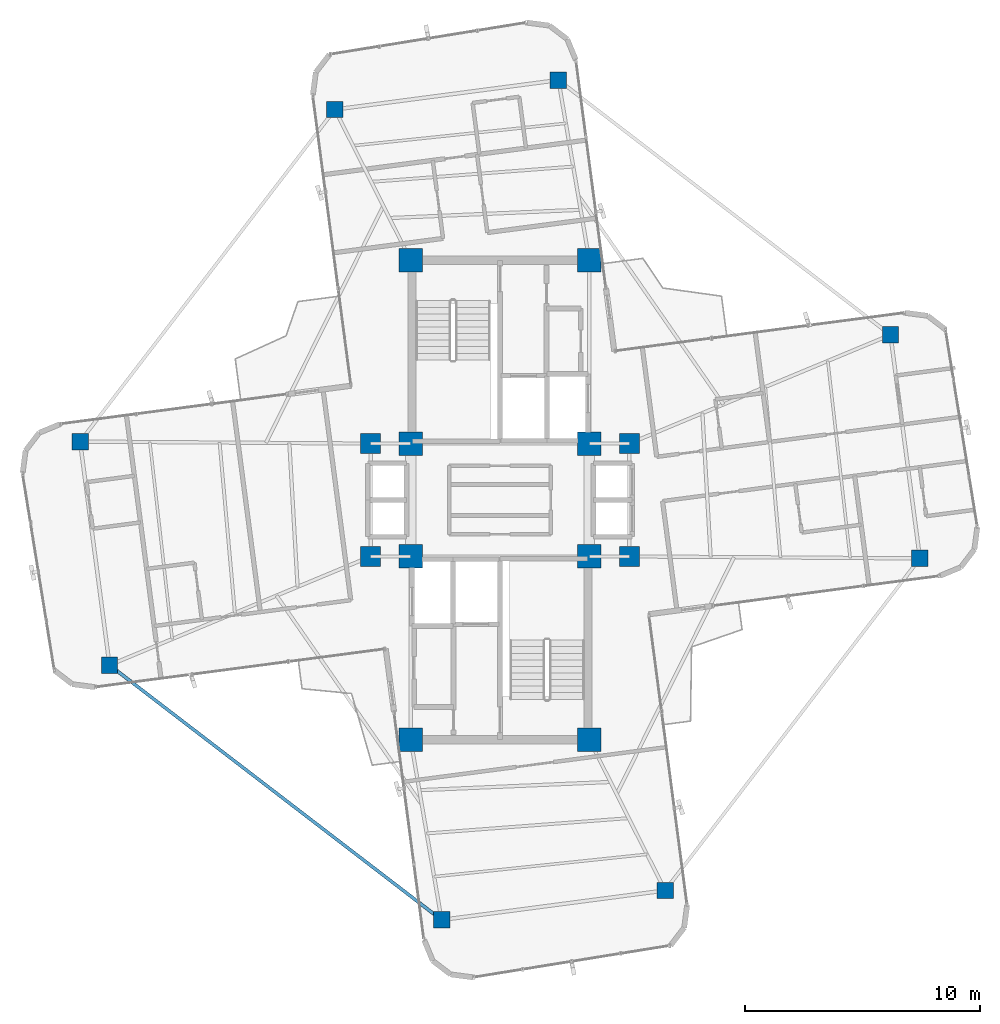
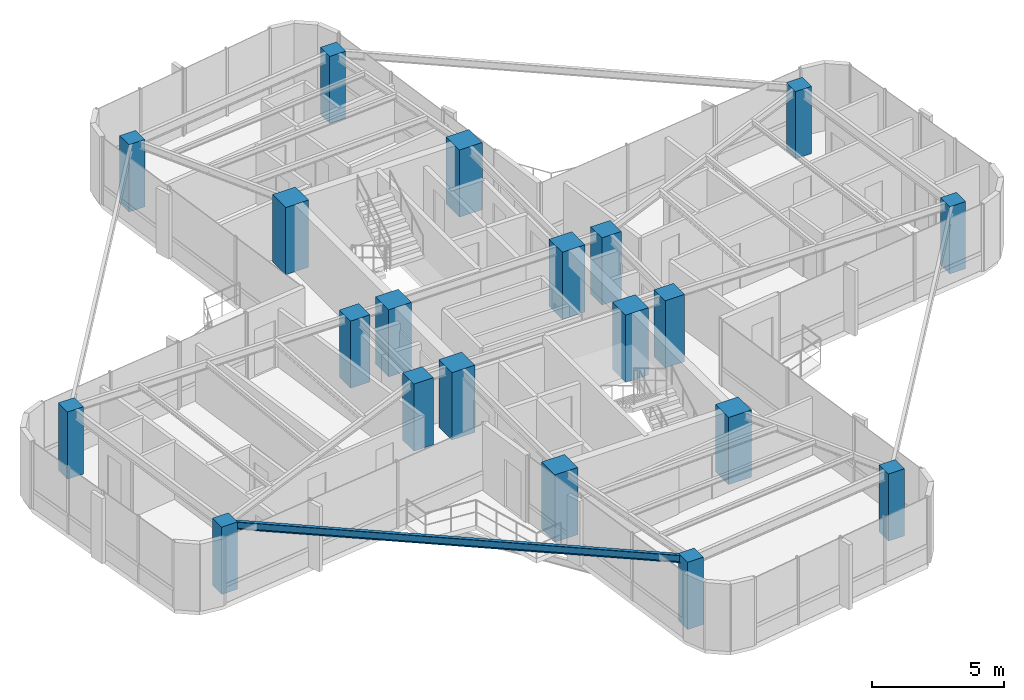
# One storey, part 1 of 21: 20 columns, 1 beam.
"""IFC4 building model written with IfcOpenShell, lengths in metres."""

from ifc_helpers import new_model, si_unit, direction, frame, origin, origin_2d, place, context, subcontext, project, spatial, rectangle, i_section, extrude, source, transform, mapped, material, material_profile, profile_set, type_object, element, save


model = new_model("IFC4")

# Units and contexts
model_context = context("Model", 3, precision=1e-05, world=origin(), true_north=direction((0.0, 1.0)))
body_context = subcontext(model_context, "Body", "Model", "MODEL_VIEW")
ifc_project = project(units=[si_unit("LENGTHUNIT", "METRE"), si_unit("AREAUNIT", "SQUARE_METRE"), si_unit("VOLUMEUNIT", "CUBIC_METRE"), si_unit("PLANEANGLEUNIT", "RADIAN"), si_unit("MASSUNIT", "GRAM", prefix="KILO")], contexts=[model_context])

# Site, building, storey
site_placement = place(None, origin())
site = spatial("IfcSite", under=ifc_project, at=site_placement, CompositionType="ELEMENT")
building_placement = place(site_placement, origin())
building = spatial("IfcBuilding", under=site, at=building_placement, Name="Sahyath Konkavel Grand Hotel", CompositionType="ELEMENT")
storey_placement = place(building_placement, frame((0.0, 0.0, 219.89990234375)))
storey = spatial("IfcBuildingStorey", under=building, at=storey_placement, Name="L61", CompositionType="ELEMENT", Elevation=219.89990234375)

# Columns
ifc_material_1 = material(Name="Concrete C50/60", Category="concrete")
ifc_material_profile_1 = material_profile(ifc_material_1, rectangle(XDim=1.0, YDim=1.0, at=origin_2d()), Name="RC 1000x1000")
ifc_profile_set_1 = profile_set([ifc_material_profile_1], Name="Concrete C50/60")
column_type_1 = type_object("IfcColumnType", Name="COL-RC1000", PredefinedType="COLUMN", material=ifc_profile_set_1)
shared_shape_1 = source(origin(), body_context, "Body", "SweptSolid", [
    extrude(rectangle(XDim=1.0, YDim=1.0, at=origin_2d()), origin(), (0.0, 0.0, 1.0), 3.110107421875),
])
for number, where, z_axis, x_axis, name in (
    (1, (-3.800048828125, 2.39990234375, 0.0), (0.0, 0.0, 1.0), (1.0, 0.0, 0.0), "L61 Core Boundary Column NC-SW"),
    (2, (3.800048828125, 2.39990234375, 0.0), (0.0, 0.0, 1.0), (1.0, 0.0, 0.0), "L61 Core Boundary Column NC-SE"),
    (3, (-3.800048828125, 10.199951171875, 0.0), (0.0, 0.0, 1.0), (1.0, 0.0, 0.0), "L61 Core Boundary Column NC-NW"),
    (4, (3.800048828125, 10.199951171875, 0.0), (0.0, 0.0, 1.0), (1.0, 0.0, 0.0), "L61 Core Boundary Column NC-NE"),
    (5, (-3.800048828125, -2.39990234375, 0.0), (0.0, 0.0, 1.0), (1.0, 0.0, 0.0), "L61 Core Boundary Column SC-NW"),
    (6, (3.800048828125, -2.39990234375, 0.0), (0.0, 0.0, 1.0), (1.0, 0.0, 0.0), "L61 Core Boundary Column SC-NE"),
    (7, (-3.800048828125, -10.199951171875, 0.0), (0.0, 0.0, 1.0), (1.0, 0.0, 0.0), "L61 Core Boundary Column SC-SW"),
    (8, (3.800048828125, -10.199951171875, 0.0), (0.0, 0.0, 1.0), (1.0, 0.0, 0.0), "L61 Core Boundary Column SC-SE"),
):
    element("IfcColumn", number, at=place(storey_placement, frame(where, z_axis=z_axis, x_axis=x_axis)), inside=storey, type_object=column_type_1, Name=name, PredefinedType="COLUMN", context=body_context, shape_type="MappedRepresentation", body=[
        mapped(shared_shape_1, transform((0.0, 0.0, 0.0), scale=1.0)),
    ])
ifc_material_2 = material(Name="Concrete C40/50", Category="concrete")
ifc_material_profile_2 = material_profile(ifc_material_2, rectangle(XDim=0.85009765625, YDim=0.85009765625, at=origin_2d()), Name="RC 850x850")
ifc_profile_set_2 = profile_set([ifc_material_profile_2], Name="Concrete C40/50")
column_type_2 = type_object("IfcColumnType", Name="COL-RC850", PredefinedType="COLUMN", material=ifc_profile_set_2)
shared_shape_2 = source(origin(), body_context, "Body", "SweptSolid", [
    extrude(rectangle(XDim=0.85009765625, YDim=0.85009765625, at=origin_2d()), origin(), (0.0, 0.0, 1.0), 3.110107421875),
])
for number, where, z_axis, x_axis, name in (
    (9, (5.5, 2.39990234375, 0.0), (0.0, 0.0, 1.0), (1.0, 0.0, 0.0), "L61 Central Spine Column HB-NE"),
    (10, (-5.5, 2.39990234375, 0.0), (0.0, 0.0, 1.0), (1.0, 0.0, 0.0), "L61 Central Spine Column HB-NW"),
    (11, (5.5, -2.39990234375, 0.0), (0.0, 0.0, 1.0), (1.0, 0.0, 0.0), "L61 Central Spine Column HB-SE"),
    (12, (-5.5, -2.39990234375, 0.0), (0.0, 0.0, 1.0), (1.0, 0.0, 0.0), "L61 Central Spine Column HB-SW"),
):
    element("IfcColumn", number, at=place(storey_placement, frame(where, z_axis=z_axis, x_axis=x_axis)), inside=storey, type_object=column_type_2, Name=name, PredefinedType="COLUMN", context=body_context, shape_type="MappedRepresentation", body=[
        mapped(shared_shape_2, transform((0.0, 0.0, 0.0), scale=1.0)),
    ])
ifc_material_profile_3 = material_profile(ifc_material_2, rectangle(XDim=0.699951171875, YDim=0.699951171875, at=origin_2d()), Name="RC 700x700")
ifc_profile_set_3 = profile_set([ifc_material_profile_3], Name="Concrete C40/50")
column_type_3 = type_object("IfcColumnType", Name="COL-RC700", PredefinedType="COLUMN", material=ifc_profile_set_3)
shared_shape_3 = source(origin(), body_context, "Body", "SweptSolid", [
    extrude(rectangle(XDim=0.699951171875, YDim=0.699951171875, at=origin_2d()), origin(), (0.0, 0.0, 1.0), 3.110107421875),
])
for number, where, z_axis, x_axis, name in (
    (13, (17.8642578125, -2.485595703125, 0.0), (0.0, 0.0, 1.0), (1.0, 0.0, 0.0), "L61 Cruciform Wing Column WC-EA"),
    (14, (16.6123046875, 7.0244140625, 0.0), (0.0, 0.0, 1.0), (1.0, 0.0, 0.0), "L61 Cruciform Wing Column WC-EB"),
    (15, (2.485595703125, 17.8642578125, 0.0), (0.0, 0.0, 1.0), (1.0, 0.0, 0.0), "L61 Cruciform Wing Column WC-NA"),
    (16, (-7.0244140625, 16.6123046875, 0.0), (0.0, 0.0, 1.0), (1.0, 0.0, 0.0), "L61 Cruciform Wing Column WC-NB"),
    (17, (-17.8642578125, 2.485595703125, 0.0), (0.0, 0.0, 1.0), (1.0, 0.0, 0.0), "L61 Cruciform Wing Column WC-WA"),
    (18, (-16.6123046875, -7.0244140625, 0.0), (0.0, 0.0, 1.0), (1.0, 0.0, 0.0), "L61 Cruciform Wing Column WC-WB"),
    (19, (-2.485595703125, -17.8642578125, 0.0), (0.0, 0.0, 1.0), (1.0, 0.0, 0.0), "L61 Cruciform Wing Column WC-SA"),
    (20, (7.0244140625, -16.6123046875, 0.0), (0.0, 0.0, 1.0), (1.0, 0.0, 0.0), "L61 Cruciform Wing Column WC-SB"),
):
    element("IfcColumn", number, at=place(storey_placement, frame(where, z_axis=z_axis, x_axis=x_axis)), inside=storey, type_object=column_type_3, Name=name, PredefinedType="COLUMN", context=body_context, shape_type="MappedRepresentation", body=[
        mapped(shared_shape_3, transform((0.0, 0.0, 0.0), scale=1.0)),
    ])

# Beam
ifc_material_3 = material(Name="Steel E350", Category="steel")
ifc_material_profile_4 = material_profile(ifc_material_3, i_section(OverallWidth=0.139892578125, OverallDepth=0.35009765625, WebThickness=0.008056640625, FlangeThickness=0.01416015625, FilletRadius=0.013916015625, at=origin_2d()), Name="ISMB 350")
ifc_profile_set_4 = profile_set([ifc_material_profile_4], Name="Steel E350")
beam_type = type_object("IfcBeamType", Name="BM-ISMB350", PredefinedType="BEAM", material=ifc_profile_set_4)
shared_shape_4 = source(origin(), body_context, "Body", "SweptSolid", [
    extrude(i_section(OverallWidth=0.139892578125, OverallDepth=0.35009765625, WebThickness=0.008056640625, FlangeThickness=0.01416015625, FilletRadius=0.013916015625, at=origin_2d()), origin(), (0.0, 0.0, 1.0), 17.806396484375),
])
beam_placement = place(storey_placement, frame((-16.6123046875, -7.0244140625, 2.93505859375), z_axis=(0.793352290764, -0.608762796777, 0.0), x_axis=(0.608762796777, 0.793352290764, 0.0)))
element("IfcBeam", 21, at=beam_placement, inside=storey, type_object=beam_type, Name="L61 Re-Entrant Tie Beam SW", PredefinedType="BEAM", context=body_context, shape_type="MappedRepresentation", body=[
    mapped(shared_shape_4, transform((0.0, 0.0, 0.0), scale=1.0)),
])

save(model, "model.ifc")
